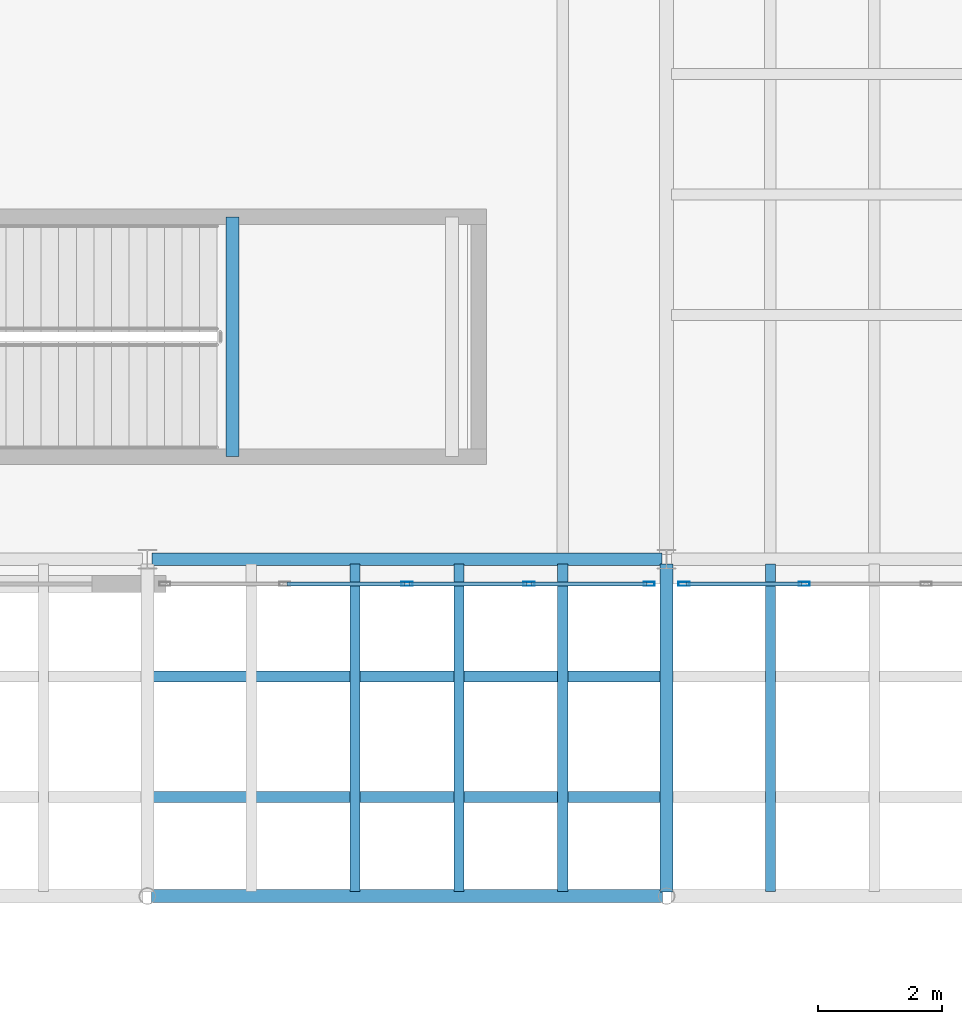
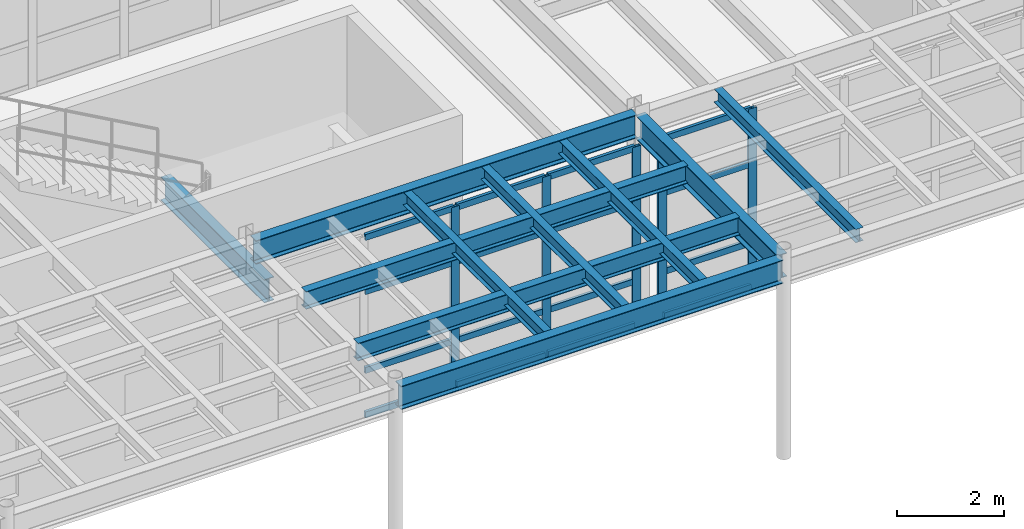
# One storey, part 50 of 116: 21 members, 10 beams, 2 elements without a shape of their own.
"""IFC4 building model written with IfcOpenShell, lengths in metres."""

from ifc_helpers import new_model, si_unit, direction, frame, origin, origin_2d, place, context, subcontext, project, spatial, hollow_rectangle, i_section, extrude, material, layer, layer_set, material_profile, profile_set, type_object, element, aggregate, save


model = new_model("IFC4")

# Units and contexts
model_context = context("Model", 3, precision=1e-05, world=origin(), true_north=direction((0.0, 1.0)))
body_context = subcontext(model_context, "Body", "Model", "MODEL_VIEW")
ifc_project = project(units=[si_unit("LENGTHUNIT", "METRE"), si_unit("AREAUNIT", "SQUARE_METRE"), si_unit("VOLUMEUNIT", "CUBIC_METRE"), si_unit("PLANEANGLEUNIT", "RADIAN"), si_unit("MASSUNIT", "GRAM", prefix="KILO")], contexts=[model_context])

# Site, building, storey
site_placement = place(None, origin())
site = spatial("IfcSite", under=ifc_project, at=site_placement, CompositionType="ELEMENT")
building_placement = place(site_placement, origin())
building = spatial("IfcBuilding", under=site, at=building_placement, Name="Selat Folded Stagehouse", CompositionType="ELEMENT")
storey_placement = place(building_placement, frame((0.0, 0.0, 5.39990234375)))
storey = spatial("IfcBuildingStorey", under=building, at=storey_placement, Name="L01", CompositionType="ELEMENT", Elevation=5.39990234375)

# Beams
ifc_material_1 = material(Name="Steel S355", Category="steel")
ifc_material_profile_1 = material_profile(ifc_material_1, i_section(OverallWidth=0.210693359375, OverallDepth=0.53955078125, WebThickness=0.01171875, FlangeThickness=0.018798828125, FilletRadius=0.0126953125, at=origin_2d()), Name="UKB 533x210x109")
ifc_profile_set_1 = profile_set([ifc_material_profile_1], Name="Steel S355")
beam_type_1 = type_object("IfcBeamType", Name="BM-GIRD-533x210x109", PredefinedType="BEAM", material=ifc_profile_set_1)
beam_1_placement = place(storey_placement, frame((109.199951171875, 0.418212890625, 4.290283203125), z_axis=(0.0, 1.0, 0.0), x_axis=(-1.0, 0.0, 0.0)))
element("IfcBeam", 1, at=beam_1_placement, inside=storey, type_object=beam_type_1, Name="L01 primary y-girder 0837", PredefinedType="BEAM", context=body_context, shape_type="SweptSolid", body=[
    extrude(i_section(OverallWidth=0.210693359375, OverallDepth=0.53955078125, WebThickness=0.01171875, FlangeThickness=0.018798828125, FilletRadius=0.0126953125, at=origin_2d()), origin(), (0.0, 0.0, 1.0), 5.3046875),
])
ifc_material_profile_2 = material_profile(ifc_material_1, i_section(OverallWidth=0.209228515625, OverallDepth=0.533203125, WebThickness=0.010009765625, FlangeThickness=0.015625, FilletRadius=0.0126953125, at=origin_2d()), Name="UKB 533x210x92")
ifc_profile_set_2 = profile_set([ifc_material_profile_2], Name="Steel S355")
beam_type_2 = type_object("IfcBeamType", Name="BM-GIRD-533x210x92", PredefinedType="BEAM", material=ifc_profile_set_2)
beam_2_placement = place(storey_placement, frame((100.868408203125, 0.35009765625, 4.293701171875), z_axis=(1.0, 0.0, 0.0), x_axis=(0.0, 1.0, 0.0)))
element("IfcBeam", 2, at=beam_2_placement, inside=storey, type_object=beam_type_2, Name="L01 primary x-girder 0755", PredefinedType="BEAM", context=body_context, shape_type="SweptSolid", body=[
    extrude(i_section(OverallWidth=0.209228515625, OverallDepth=0.533203125, WebThickness=0.010009765625, FlangeThickness=0.015625, FilletRadius=0.0126953125, at=origin_2d()), origin(), (0.0, 0.0, 1.0), 8.26318359375),
])
beam_3_placement = place(storey_placement, frame((100.876953125, 5.800048828125, 4.3134765625), z_axis=(1.0, 0.0, 0.0), x_axis=(0.0, 1.0, 0.0)))
element("IfcBeam", 3, at=beam_3_placement, inside=storey, type_object=beam_type_2, Name="L01 primary x-girder 0764", PredefinedType="BEAM", context=body_context, shape_type="SweptSolid", body=[
    extrude(i_section(OverallWidth=0.209228515625, OverallDepth=0.533203125, WebThickness=0.010009765625, FlangeThickness=0.015625, FilletRadius=0.0126953125, at=origin_2d()), origin(), (0.0, 0.0, 1.0), 8.24609375),
])
beam_4_placement = place(storey_placement, frame((102.179931640625, 7.4599609375, 1.93359375), z_axis=(0.0, 1.0, 0.0), x_axis=(-1.0, 0.0, 0.0)))
element("IfcBeam", 4, at=beam_4_placement, inside=storey, type_object=beam_type_2, Name="L01 ST-08 landing support beam 1", PredefinedType="BEAM", context=body_context, shape_type="SweptSolid", body=[
    extrude(i_section(OverallWidth=0.209228515625, OverallDepth=0.533203125, WebThickness=0.010009765625, FlangeThickness=0.015625, FilletRadius=0.0126953125, at=origin_2d()), origin(), (0.0, 0.0, 1.0), 3.880126953125),
])

# Curtain wall, members
ifc_material_2 = material(Name="Aluminium 6063-T6", Category="aluminium")
ifc_layer = layer(ifc_material_2, 0.2099609375)
ifc_layer_set = layer_set([ifc_layer], Name="Aluminium 6063-T6")
curtain_wall_type = type_object("IfcCurtainWallType", Name="CW-FYR-SOUTH", PredefinedType="NOTDEFINED", material=ifc_layer_set)
curtain_wall_1_placement = place(storey_placement, origin())
curtain_wall_1 = element("IfcCurtainWall", 5, at=curtain_wall_1_placement, inside=storey, type_object=curtain_wall_type, Name="L01 curtain wall CW-FYR-L01-05", PredefinedType="NOTDEFINED")
ifc_material_profile_3 = material_profile(ifc_material_2, hollow_rectangle(XDim=0.06494140625, YDim=0.179931640625, WallThickness=0.00390625, at=origin_2d()), Name="ALU 180x65x4.0")
ifc_profile_set_3 = profile_set([ifc_material_profile_3], Name="Aluminium 6063-T6")
member_type_1 = type_object("IfcMemberType", Name="CWM-MUL-180x65", PredefinedType="MULLION", material=ifc_profile_set_3)
member_1_placement = place(storey_placement, frame((108.91748046875, 5.39990234375, 0.0), z_axis=(0.0, 0.0, 1.0), x_axis=(0.0, -1.0, 0.0)))
member_1 = element("IfcMember", 6, at=member_1_placement, type_object=member_type_1, Name="CW-04 mullion 1", PredefinedType="MULLION", context=body_context, shape_type="SweptSolid", body=[
    extrude(hollow_rectangle(XDim=0.06494140625, YDim=0.179931640625, WallThickness=0.00390625, at=origin_2d()), origin(), (0.0, 0.0, 1.0), 4.1201171875),
])
member_2_placement = place(storey_placement, frame((106.97509765625, 5.39990234375, 0.0), z_axis=(0.0, 0.0, 1.0), x_axis=(0.0, -1.0, 0.0)))
member_2 = element("IfcMember", 7, at=member_2_placement, type_object=member_type_1, Name="CW-04 mullion 2", PredefinedType="MULLION", context=body_context, shape_type="SweptSolid", body=[
    extrude(hollow_rectangle(XDim=0.06494140625, YDim=0.179931640625, WallThickness=0.00390625, at=origin_2d()), origin(), (0.0, 0.0, 1.0), 4.1201171875),
])
member_3_placement = place(storey_placement, frame((105.0, 5.39990234375, 0.0), z_axis=(0.0, 0.0, 1.0), x_axis=(0.0, -1.0, 0.0)))
member_3 = element("IfcMember", 8, at=member_3_placement, type_object=member_type_1, Name="CW-04 mullion 3", PredefinedType="MULLION", context=body_context, shape_type="SweptSolid", body=[
    extrude(hollow_rectangle(XDim=0.06494140625, YDim=0.179931640625, WallThickness=0.00390625, at=origin_2d()), origin(), (0.0, 0.0, 1.0), 4.1201171875),
])

curtain_wall_2_placement = place(storey_placement, origin())
curtain_wall_2 = element("IfcCurtainWall", 9, at=curtain_wall_2_placement, inside=storey, type_object=curtain_wall_type, Name="L01 curtain wall CW-FYR-L01-06", PredefinedType="NOTDEFINED")
member_4_placement = place(storey_placement, frame((111.425048828125, 5.39990234375, 0.0), z_axis=(0.0, 0.0, 1.0), x_axis=(0.0, -1.0, 0.0)))
member_4 = element("IfcMember", 10, at=member_4_placement, type_object=member_type_1, Name="CW-04 mullion 4", PredefinedType="MULLION", context=body_context, shape_type="SweptSolid", body=[
    extrude(hollow_rectangle(XDim=0.06494140625, YDim=0.179931640625, WallThickness=0.00390625, at=origin_2d()), origin(), (0.0, 0.0, 1.0), 4.1201171875),
])
member_5_placement = place(storey_placement, frame((109.482421875, 5.39990234375, 0.0), z_axis=(0.0, 0.0, 1.0), x_axis=(0.0, -1.0, 0.0)))
member_5 = element("IfcMember", 11, at=member_5_placement, type_object=member_type_1, Name="CW-04 mullion 5", PredefinedType="MULLION", context=body_context, shape_type="SweptSolid", body=[
    extrude(hollow_rectangle(XDim=0.06494140625, YDim=0.179931640625, WallThickness=0.00390625, at=origin_2d()), origin(), (0.0, 0.0, 1.0), 4.1201171875),
])

# Member
ifc_material_profile_4 = material_profile(ifc_material_2, hollow_rectangle(XDim=0.06494140625, YDim=0.139892578125, WallThickness=0.00390625, at=origin_2d()), Name="ALU 140x65x4.0")
ifc_profile_set_4 = profile_set([ifc_material_profile_4], Name="Aluminium 6063-T6")
member_type_2 = type_object("IfcMemberType", Name="CWM-TRN-140x65", PredefinedType="USERDEFINED", material=ifc_profile_set_4)
member_6_placement = place(storey_placement, frame((108.885009765625, 5.39990234375, 0.03271484375), z_axis=(-1.0, 0.0, 0.0), x_axis=(0.0, -1.0, 0.0)))
member_6 = element("IfcMember", 12, at=member_6_placement, type_object=member_type_2, Name="CW-04 transom 1.1", ObjectType="TRANSOM", PredefinedType="USERDEFINED", context=body_context, shape_type="SweptSolid", body=[
    extrude(hollow_rectangle(XDim=0.06494140625, YDim=0.139892578125, WallThickness=0.00390625, at=origin_2d()), origin(), (0.0, 0.0, 1.0), 1.87744140625),
])

member_7_placement = place(storey_placement, frame((108.885009765625, 5.39990234375, 1.050048828125), z_axis=(-1.0, 0.0, 0.0), x_axis=(0.0, -1.0, 0.0)))
member_7 = element("IfcMember", 13, at=member_7_placement, type_object=member_type_2, Name="CW-04 transom 1.2", ObjectType="TRANSOM", PredefinedType="USERDEFINED", context=body_context, shape_type="SweptSolid", body=[
    extrude(hollow_rectangle(XDim=0.06494140625, YDim=0.139892578125, WallThickness=0.00390625, at=origin_2d()), origin(), (0.0, 0.0, 1.0), 1.87744140625),
])

member_8_placement = place(storey_placement, frame((108.885009765625, 5.39990234375, 2.85009765625), z_axis=(-1.0, 0.0, 0.0), x_axis=(0.0, -1.0, 0.0)))
member_8 = element("IfcMember", 14, at=member_8_placement, type_object=member_type_2, Name="CW-04 transom 1.3", ObjectType="TRANSOM", PredefinedType="USERDEFINED", context=body_context, shape_type="SweptSolid", body=[
    extrude(hollow_rectangle(XDim=0.06494140625, YDim=0.139892578125, WallThickness=0.00390625, at=origin_2d()), origin(), (0.0, 0.0, 1.0), 1.87744140625),
])

member_9_placement = place(storey_placement, frame((108.885009765625, 5.39990234375, 4.087646484375), z_axis=(-1.0, 0.0, 0.0), x_axis=(0.0, -1.0, 0.0)))
member_9 = element("IfcMember", 15, at=member_9_placement, type_object=member_type_2, Name="CW-04 transom 1.4", ObjectType="TRANSOM", PredefinedType="USERDEFINED", context=body_context, shape_type="SweptSolid", body=[
    extrude(hollow_rectangle(XDim=0.06494140625, YDim=0.139892578125, WallThickness=0.00390625, at=origin_2d()), origin(), (0.0, 0.0, 1.0), 1.87744140625),
])

member_10_placement = place(storey_placement, frame((106.9423828125, 5.39990234375, 0.03271484375), z_axis=(-1.0, 0.0, 0.0), x_axis=(0.0, -1.0, 0.0)))
member_10 = element("IfcMember", 16, at=member_10_placement, type_object=member_type_2, Name="CW-04 transom 2.1", ObjectType="TRANSOM", PredefinedType="USERDEFINED", context=body_context, shape_type="SweptSolid", body=[
    extrude(hollow_rectangle(XDim=0.06494140625, YDim=0.139892578125, WallThickness=0.00390625, at=origin_2d()), origin(), (0.0, 0.0, 1.0), 1.909912109375),
])

member_11_placement = place(storey_placement, frame((106.9423828125, 5.39990234375, 1.050048828125), z_axis=(-1.0, 0.0, 0.0), x_axis=(0.0, -1.0, 0.0)))
member_11 = element("IfcMember", 17, at=member_11_placement, type_object=member_type_2, Name="CW-04 transom 2.2", ObjectType="TRANSOM", PredefinedType="USERDEFINED", context=body_context, shape_type="SweptSolid", body=[
    extrude(hollow_rectangle(XDim=0.06494140625, YDim=0.139892578125, WallThickness=0.00390625, at=origin_2d()), origin(), (0.0, 0.0, 1.0), 1.909912109375),
])

member_12_placement = place(storey_placement, frame((106.9423828125, 5.39990234375, 2.85009765625), z_axis=(-1.0, 0.0, 0.0), x_axis=(0.0, -1.0, 0.0)))
member_12 = element("IfcMember", 18, at=member_12_placement, type_object=member_type_2, Name="CW-04 transom 2.3", ObjectType="TRANSOM", PredefinedType="USERDEFINED", context=body_context, shape_type="SweptSolid", body=[
    extrude(hollow_rectangle(XDim=0.06494140625, YDim=0.139892578125, WallThickness=0.00390625, at=origin_2d()), origin(), (0.0, 0.0, 1.0), 1.909912109375),
])

member_13_placement = place(storey_placement, frame((106.9423828125, 5.39990234375, 4.087646484375), z_axis=(-1.0, 0.0, 0.0), x_axis=(0.0, -1.0, 0.0)))
member_13 = element("IfcMember", 19, at=member_13_placement, type_object=member_type_2, Name="CW-04 transom 2.4", ObjectType="TRANSOM", PredefinedType="USERDEFINED", context=body_context, shape_type="SweptSolid", body=[
    extrude(hollow_rectangle(XDim=0.06494140625, YDim=0.139892578125, WallThickness=0.00390625, at=origin_2d()), origin(), (0.0, 0.0, 1.0), 1.909912109375),
])

member_14_placement = place(storey_placement, frame((104.967529296875, 5.39990234375, 0.03271484375), z_axis=(-1.0, 0.0, 0.0), x_axis=(0.0, -1.0, 0.0)))
member_14 = element("IfcMember", 20, at=member_14_placement, type_object=member_type_2, Name="CW-04 transom 3.1", ObjectType="TRANSOM", PredefinedType="USERDEFINED", context=body_context, shape_type="SweptSolid", body=[
    extrude(hollow_rectangle(XDim=0.06494140625, YDim=0.139892578125, WallThickness=0.00390625, at=origin_2d()), origin(), (0.0, 0.0, 1.0), 1.909912109375),
])

member_15_placement = place(storey_placement, frame((104.967529296875, 5.39990234375, 1.050048828125), z_axis=(-1.0, 0.0, 0.0), x_axis=(0.0, -1.0, 0.0)))
member_15 = element("IfcMember", 21, at=member_15_placement, type_object=member_type_2, Name="CW-04 transom 3.2", ObjectType="TRANSOM", PredefinedType="USERDEFINED", context=body_context, shape_type="SweptSolid", body=[
    extrude(hollow_rectangle(XDim=0.06494140625, YDim=0.139892578125, WallThickness=0.00390625, at=origin_2d()), origin(), (0.0, 0.0, 1.0), 1.909912109375),
])

member_16_placement = place(storey_placement, frame((104.967529296875, 5.39990234375, 2.85009765625), z_axis=(-1.0, 0.0, 0.0), x_axis=(0.0, -1.0, 0.0)))
member_16 = element("IfcMember", 22, at=member_16_placement, type_object=member_type_2, Name="CW-04 transom 3.3", ObjectType="TRANSOM", PredefinedType="USERDEFINED", context=body_context, shape_type="SweptSolid", body=[
    extrude(hollow_rectangle(XDim=0.06494140625, YDim=0.139892578125, WallThickness=0.00390625, at=origin_2d()), origin(), (0.0, 0.0, 1.0), 1.909912109375),
])

member_17_placement = place(storey_placement, frame((104.967529296875, 5.39990234375, 4.087646484375), z_axis=(-1.0, 0.0, 0.0), x_axis=(0.0, -1.0, 0.0)))
member_17 = element("IfcMember", 23, at=member_17_placement, type_object=member_type_2, Name="CW-04 transom 3.4", ObjectType="TRANSOM", PredefinedType="USERDEFINED", context=body_context, shape_type="SweptSolid", body=[
    extrude(hollow_rectangle(XDim=0.06494140625, YDim=0.139892578125, WallThickness=0.00390625, at=origin_2d()), origin(), (0.0, 0.0, 1.0), 1.909912109375),
])

aggregate(curtain_wall_1, [member_1, member_2, member_3, member_6, member_7, member_8, member_9, member_10, member_11, member_12, member_13, member_14, member_15, member_16, member_17])

member_18_placement = place(storey_placement, frame((111.392578125, 5.39990234375, 0.03271484375), z_axis=(-1.0, 0.0, 0.0), x_axis=(0.0, -1.0, 0.0)))
member_18 = element("IfcMember", 24, at=member_18_placement, type_object=member_type_2, Name="CW-04 transom 4.1", ObjectType="TRANSOM", PredefinedType="USERDEFINED", context=body_context, shape_type="SweptSolid", body=[
    extrude(hollow_rectangle(XDim=0.06494140625, YDim=0.139892578125, WallThickness=0.00390625, at=origin_2d()), origin(), (0.0, 0.0, 1.0), 1.877685546875),
])

member_19_placement = place(storey_placement, frame((111.392578125, 5.39990234375, 1.050048828125), z_axis=(-1.0, 0.0, 0.0), x_axis=(0.0, -1.0, 0.0)))
member_19 = element("IfcMember", 25, at=member_19_placement, type_object=member_type_2, Name="CW-04 transom 4.2", ObjectType="TRANSOM", PredefinedType="USERDEFINED", context=body_context, shape_type="SweptSolid", body=[
    extrude(hollow_rectangle(XDim=0.06494140625, YDim=0.139892578125, WallThickness=0.00390625, at=origin_2d()), origin(), (0.0, 0.0, 1.0), 1.877685546875),
])

member_20_placement = place(storey_placement, frame((111.392578125, 5.39990234375, 2.85009765625), z_axis=(-1.0, 0.0, 0.0), x_axis=(0.0, -1.0, 0.0)))
member_20 = element("IfcMember", 26, at=member_20_placement, type_object=member_type_2, Name="CW-04 transom 4.3", ObjectType="TRANSOM", PredefinedType="USERDEFINED", context=body_context, shape_type="SweptSolid", body=[
    extrude(hollow_rectangle(XDim=0.06494140625, YDim=0.139892578125, WallThickness=0.00390625, at=origin_2d()), origin(), (0.0, 0.0, 1.0), 1.877685546875),
])

member_21_placement = place(storey_placement, frame((111.392578125, 5.39990234375, 4.087646484375), z_axis=(-1.0, 0.0, 0.0), x_axis=(0.0, -1.0, 0.0)))
member_21 = element("IfcMember", 27, at=member_21_placement, type_object=member_type_2, Name="CW-04 transom 4.4", ObjectType="TRANSOM", PredefinedType="USERDEFINED", context=body_context, shape_type="SweptSolid", body=[
    extrude(hollow_rectangle(XDim=0.06494140625, YDim=0.139892578125, WallThickness=0.00390625, at=origin_2d()), origin(), (0.0, 0.0, 1.0), 1.877685546875),
])

aggregate(curtain_wall_2, [member_4, member_5, member_18, member_19, member_20, member_21])

# Beams
ifc_material_profile_5 = material_profile(ifc_material_1, i_section(OverallWidth=0.1650390625, OverallDepth=0.303466796875, WebThickness=0.006103515625, FlangeThickness=0.01025390625, FilletRadius=0.0087890625, at=origin_2d()), Name="UKB 305x165x40")
ifc_profile_set_5 = profile_set([ifc_material_profile_5], Name="Steel S355")
beam_type_3 = type_object("IfcBeamType", Name="JST-305x165x40", PredefinedType="JOIST", material=ifc_profile_set_5)
for number, where, z_axis, x_axis, name in (
    (28, (104.159912109375, 0.42333984375, 4.408447265625), (0.0, 1.0, 0.0), (-1.0, 0.0, 0.0), "L01 secondary floor joist 0898"),
    (29, (105.840087890625, 0.42333984375, 4.408447265625), (0.0, 1.0, 0.0), (-1.0, 0.0, 0.0), "L01 secondary floor joist 0899"),
    (30, (107.52001953125, 0.42333984375, 4.408447265625), (0.0, 1.0, 0.0), (-1.0, 0.0, 0.0), "L01 secondary floor joist 0900"),
    (31, (110.8798828125, 0.42333984375, 4.408447265625), (0.0, 1.0, 0.0), (-1.0, 0.0, 0.0), "L01 secondary floor joist 0902"),
):
    element("IfcBeam", number, at=place(storey_placement, frame(where, z_axis=z_axis, x_axis=x_axis)), inside=storey, type_object=beam_type_3, Name=name, PredefinedType="JOIST", context=body_context, shape_type="SweptSolid", body=[
        extrude(i_section(OverallWidth=0.1650390625, OverallDepth=0.303466796875, WebThickness=0.006103515625, FlangeThickness=0.01025390625, FilletRadius=0.0087890625, at=origin_2d()), origin(), (0.0, 0.0, 1.0), 5.303466796875),
    ])
ifc_material_profile_6 = material_profile(ifc_material_1, i_section(OverallWidth=0.177978515625, OverallDepth=0.406494140625, WebThickness=0.0078125, FlangeThickness=0.0126953125, FilletRadius=0.01025390625, at=origin_2d()), Name="UKB 406x178x60")
ifc_profile_set_6 = profile_set([ifc_material_profile_6], Name="Steel S355")
beam_type_4 = type_object("IfcBeamType", Name="JST-406x178x60", PredefinedType="JOIST", material=ifc_profile_set_6)
for number, where, z_axis, x_axis, name in (
    (32, (100.873779296875, 1.949951171875, 4.35693359375), (1.0, 0.0, 0.0), (0.0, 1.0, 0.0), "L01 secondary x-joist 0928"),
    (33, (100.873779296875, 3.89990234375, 4.35693359375), (1.0, 0.0, 0.0), (0.0, 1.0, 0.0), "L01 secondary x-joist 0933"),
):
    element("IfcBeam", number, at=place(storey_placement, frame(where, z_axis=z_axis, x_axis=x_axis)), inside=storey, type_object=beam_type_4, Name=name, PredefinedType="JOIST", context=body_context, shape_type="SweptSolid", body=[
        extrude(i_section(OverallWidth=0.177978515625, OverallDepth=0.406494140625, WebThickness=0.0078125, FlangeThickness=0.0126953125, FilletRadius=0.01025390625, at=origin_2d()), origin(), (0.0, 0.0, 1.0), 8.25244140625),
    ])

save(model, "model.ifc")
